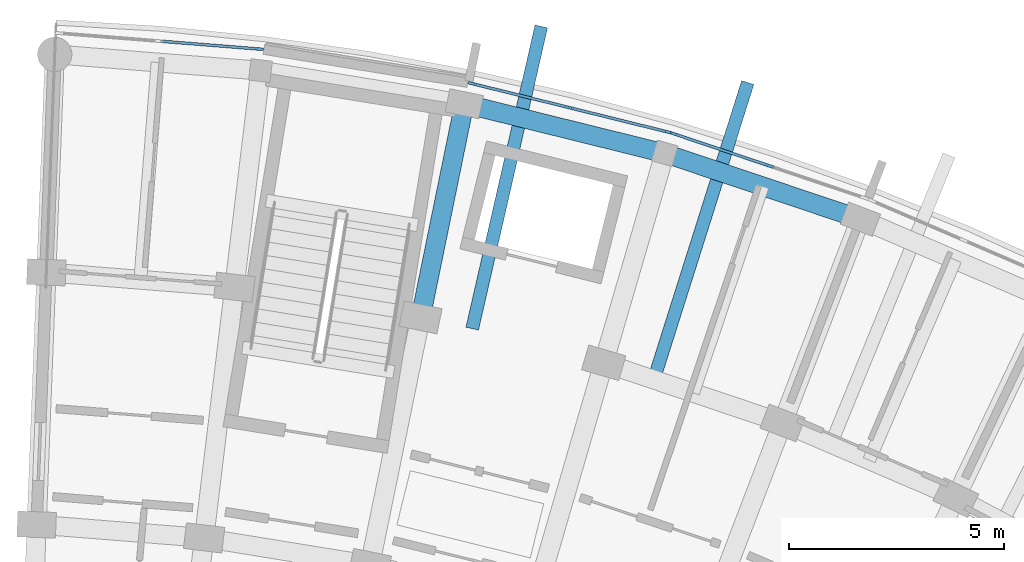
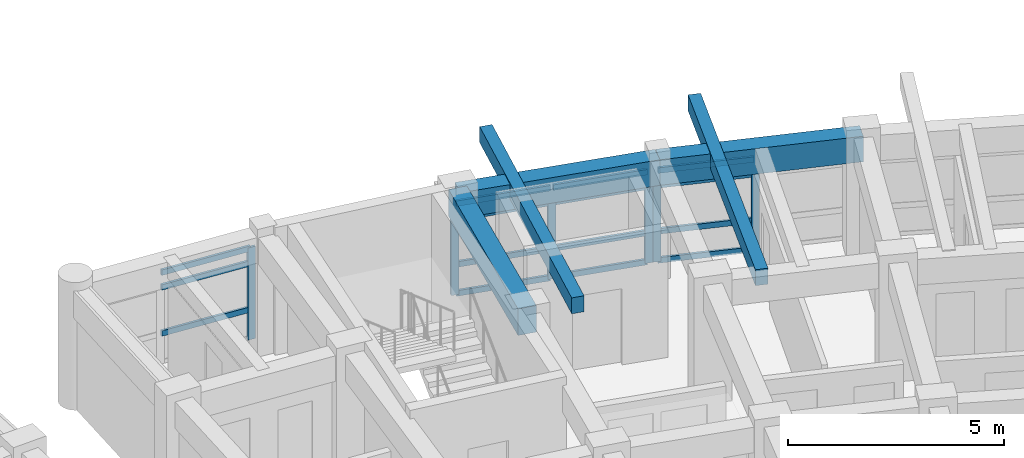
# One storey, part 28 of 83: 21 members, 5 beams, 3 elements without a shape of their own.
"""IFC4 building model written with IfcOpenShell, lengths in metres."""

from ifc_helpers import new_model, si_unit, direction, frame, origin, origin_2d, place, context, subcontext, project, spatial, rectangle, extrude, material, material_profile, profile_set, type_object, element, aggregate, save


model = new_model("IFC4")

# Units and contexts
model_context = context("Model", 3, precision=1e-05, world=origin(), true_north=direction((0.0, 1.0)))
body_context = subcontext(model_context, "Body", "Model", "MODEL_VIEW")
ifc_project = project(units=[si_unit("LENGTHUNIT", "METRE"), si_unit("AREAUNIT", "SQUARE_METRE"), si_unit("VOLUMEUNIT", "CUBIC_METRE"), si_unit("PLANEANGLEUNIT", "RADIAN"), si_unit("MASSUNIT", "GRAM", prefix="KILO")], contexts=[model_context])

# Site, building, storey
site_placement = place(None, origin())
site = spatial("IfcSite", under=ifc_project, at=site_placement, CompositionType="ELEMENT")
building_placement = place(site_placement, origin())
building = spatial("IfcBuilding", under=site, at=building_placement, Name="Zimvara Arc Housing Community", CompositionType="ELEMENT")
storey_placement = place(building_placement, frame((0.0, 0.0, 4.5)))
storey = spatial("IfcBuildingStorey", under=building, at=storey_placement, Name="L01", CompositionType="ELEMENT", Elevation=4.5)

# Beams
ifc_material_1 = material(Name="Concrete C40/50", Category="concrete")
ifc_material_profile_1 = material_profile(ifc_material_1, rectangle(XDim=0.300048828125, YDim=0.449951171875, at=origin_2d()), Name="RC 300x450")
ifc_profile_set_1 = profile_set([ifc_material_profile_1], Name="Concrete C40/50")
beam_type_1 = type_object("IfcBeamType", Name="BM-RC-300x450", PredefinedType="JOIST", material=ifc_profile_set_1)
beam_1_placement = place(storey_placement, frame((56.983642578125, 96.9482421875, 3.1650390625), z_axis=(0.222762368322, 0.974872774909, 0.0), x_axis=(-0.974872774909, 0.222762368322, 0.0)))
element("IfcBeam", 1, at=beam_1_placement, inside=storey, type_object=beam_type_1, Name="bm:blkB:L01:cant_out:b2", PredefinedType="JOIST", context=body_context, shape_type="SweptSolid", body=[
    extrude(rectangle(XDim=0.300048828125, YDim=0.449951171875, at=origin_2d()), origin(), (0.0, 0.0, 1.0), 7.22021484375),
])
beam_2_placement = place(storey_placement, frame((61.22314453125, 95.795654296875, 3.1650390625), z_axis=(0.301521356078, 0.953459423273, 0.0), x_axis=(-0.953459423273, 0.301521356078, 0.0)))
element("IfcBeam", 2, at=beam_2_placement, inside=storey, type_object=beam_type_1, Name="bm:blkB:L01:cant_out:b3", PredefinedType="JOIST", context=body_context, shape_type="SweptSolid", body=[
    extrude(rectangle(XDim=0.300048828125, YDim=0.449951171875, at=origin_2d()), origin(), (0.0, 0.0, 1.0), 7.219970703125),
])
ifc_material_2 = material(Name="Concrete C40/50", Category="concrete")
ifc_material_profile_2 = material_profile(ifc_material_2, rectangle(XDim=0.43994140625, YDim=0.719970703125, at=origin_2d()), Name="RC 440x720")
ifc_profile_set_2 = profile_set([ifc_material_profile_2], Name="Concrete C40/50")
beam_type_2 = type_object("IfcBeamType", Name="BM-RC-440x720", PredefinedType="BEAM", material=ifc_profile_set_2)
beam_3_placement = place(storey_placement, frame((56.79931640625, 102.185546875, 3.0), z_axis=(0.970716235341, -0.240229037474, 0.0), x_axis=(0.240229037474, 0.970716235341, 0.0)))
element("IfcBeam", 3, at=beam_3_placement, inside=storey, type_object=beam_type_2, Name="bm:blkB:L01:chord:r3:b2", PredefinedType="BEAM", context=body_context, shape_type="SweptSolid", body=[
    extrude(rectangle(XDim=0.43994140625, YDim=0.719970703125, at=origin_2d()), origin(), (0.0, 0.0, 1.0), 4.80810546875),
])
beam_4_placement = place(storey_placement, frame((61.466552734375, 101.030517578125, 3.0), z_axis=(0.947877948153, -0.31863363822, 0.0), x_axis=(0.31863363822, 0.947877948153, 0.0)))
element("IfcBeam", 4, at=beam_4_placement, inside=storey, type_object=beam_type_2, Name="bm:blkB:L01:chord:r3:b3", PredefinedType="BEAM", context=body_context, shape_type="SweptSolid", body=[
    extrude(rectangle(XDim=0.43994140625, YDim=0.719970703125, at=origin_2d()), origin(), (0.0, 0.0, 1.0), 4.807861328125),
])
ifc_material_3 = material(Name="Concrete C40/50", Category="concrete")
ifc_material_profile_3 = material_profile(ifc_material_3, rectangle(XDim=0.449951171875, YDim=0.75, at=origin_2d()), Name="RC 450x750")
ifc_profile_set_3 = profile_set([ifc_material_profile_3], Name="Concrete C40/50")
beam_type_3 = type_object("IfcBeamType", Name="BM-RC-450x750", PredefinedType="BEAM", material=ifc_profile_set_3)
beam_5_placement = place(storey_placement, frame((55.78125, 97.208740234375, 2.985107421875), z_axis=(0.200411962389, 0.97971171542, 0.0), x_axis=(-0.97971171542, 0.200411962389, 0.0)))
element("IfcBeam", 5, at=beam_5_placement, inside=storey, type_object=beam_type_3, Name="bm:blkB:L01:rad:b2:r23", PredefinedType="BEAM", context=body_context, shape_type="SweptSolid", body=[
    extrude(rectangle(XDim=0.449951171875, YDim=0.75, at=origin_2d()), origin(), (0.0, 0.0, 1.0), 5.079833984375),
])

# Curtain wall, member
ifc_material_4 = material(Name="Anodised Aluminium AW-6063", Category="aluminium")
curtain_wall_type_1 = type_object("IfcCurtainWallType", Name="CW-SYS-01", PredefinedType="USERDEFINED", material=ifc_material_4)
curtain_wall_1_placement = place(storey_placement, origin())
curtain_wall_1 = element("IfcCurtainWall", 6, at=curtain_wall_1_placement, inside=storey, type_object=curtain_wall_type_1, Name="cw:blkB:L01:out:b0", ObjectType="CURTAIN WALL", PredefinedType="USERDEFINED")
ifc_material_5 = material(Name="Anodised Aluminium AW-6063", Category="aluminium")
ifc_material_profile_4 = material_profile(ifc_material_5, rectangle(XDim=0.06494140625, YDim=0.195068359375, at=origin_2d()), Name="ALU 65x195")
ifc_profile_set_4 = profile_set([ifc_material_profile_4], Name="Anodised Aluminium AW-6063")
member_type_1 = type_object("IfcMemberType", Name="CWM-65x180", PredefinedType="MULLION", material=ifc_profile_set_4)
member_1_placement = place(storey_placement, frame((52.02099609375, 103.459716796875, 0.0), z_axis=(0.0, 0.0, 1.0), x_axis=(0.079153759607, 0.996862418963, 0.0)))
member_1 = element("IfcMember", 7, at=member_1_placement, type_object=member_type_1, Name="CW01 mullion 3", PredefinedType="MULLION", context=body_context, shape_type="SweptSolid", body=[
    extrude(rectangle(XDim=0.06494140625, YDim=0.195068359375, at=origin_2d()), origin(), (0.0, 0.0, 1.0), 2.60009765625),
])

# Curtain wall, members
ifc_material_6 = material(Name="Anodised Aluminium AW-6063", Category="aluminium")
curtain_wall_type_2 = type_object("IfcCurtainWallType", Name="CW-SYS-03", PredefinedType="USERDEFINED", material=ifc_material_6)
curtain_wall_2_placement = place(storey_placement, origin())
curtain_wall_2 = element("IfcCurtainWall", 8, at=curtain_wall_2_placement, inside=storey, type_object=curtain_wall_type_2, Name="cw:blkB:L01:out:b2", ObjectType="CURTAIN WALL", PredefinedType="USERDEFINED")
member_2_placement = place(storey_placement, frame((56.9892578125, 102.6533203125, 0.0), z_axis=(0.0, 0.0, 1.0), x_axis=(0.240229711131, 0.970716068627, 0.0)))
member_2 = element("IfcMember", 9, at=member_2_placement, type_object=member_type_1, Name="CW03 mullion 1", PredefinedType="MULLION", context=body_context, shape_type="SweptSolid", body=[
    extrude(rectangle(XDim=0.06494140625, YDim=0.195068359375, at=origin_2d()), origin(), (0.0, 0.0, 1.0), 2.60009765625),
])
member_3_placement = place(storey_placement, frame((59.2529296875, 102.093017578125, 0.0), z_axis=(0.0, 0.0, 1.0), x_axis=(0.240229711131, 0.970716068627, 0.0)))
member_3 = element("IfcMember", 10, at=member_3_placement, type_object=member_type_1, Name="CW03 mullion 2", PredefinedType="MULLION", context=body_context, shape_type="SweptSolid", body=[
    extrude(rectangle(XDim=0.06494140625, YDim=0.195068359375, at=origin_2d()), origin(), (0.0, 0.0, 1.0), 2.60009765625),
])
member_4_placement = place(storey_placement, frame((61.5166015625, 101.532958984375, 0.0), z_axis=(0.0, 0.0, 1.0), x_axis=(0.240229711131, 0.970716068627, 0.0)))
member_4 = element("IfcMember", 11, at=member_4_placement, type_object=member_type_1, Name="CW03 mullion 3", PredefinedType="MULLION", context=body_context, shape_type="SweptSolid", body=[
    extrude(rectangle(XDim=0.06494140625, YDim=0.195068359375, at=origin_2d()), origin(), (0.0, 0.0, 1.0), 2.60009765625),
])

ifc_material_7 = material(Name="Anodised Aluminium AW-6063", Category="aluminium")
curtain_wall_type_3 = type_object("IfcCurtainWallType", Name="CW-SYS-05", PredefinedType="USERDEFINED", material=ifc_material_7)
curtain_wall_3_placement = place(storey_placement, origin())
curtain_wall_3 = element("IfcCurtainWall", 12, at=curtain_wall_3_placement, inside=storey, type_object=curtain_wall_type_3, Name="cw:blkB:L01:out:b3", ObjectType="CURTAIN WALL", PredefinedType="USERDEFINED")
member_5_placement = place(storey_placement, frame((61.694091796875, 101.481201171875, 0.0), z_axis=(0.0, 0.0, 1.0), x_axis=(0.318628583921, 0.947879647164, 0.0)))
member_5 = element("IfcMember", 13, at=member_5_placement, type_object=member_type_1, Name="CW05 mullion 1", PredefinedType="MULLION", context=body_context, shape_type="SweptSolid", body=[
    extrude(rectangle(XDim=0.06494140625, YDim=0.195068359375, at=origin_2d()), origin(), (0.0, 0.0, 1.0), 2.60009765625),
])
member_6_placement = place(storey_placement, frame((63.904296875, 100.73828125, 0.0), z_axis=(0.0, 0.0, 1.0), x_axis=(0.318628583921, 0.947879647164, 0.0)))
member_6 = element("IfcMember", 14, at=member_6_placement, type_object=member_type_1, Name="CW05 mullion 2", PredefinedType="MULLION", context=body_context, shape_type="SweptSolid", body=[
    extrude(rectangle(XDim=0.06494140625, YDim=0.195068359375, at=origin_2d()), origin(), (0.0, 0.0, 1.0), 2.60009765625),
])

# Member
ifc_material_8 = material(Name="Anodised Aluminium AW-6063", Category="aluminium")
ifc_material_profile_5 = material_profile(ifc_material_8, rectangle(XDim=0.06494140625, YDim=0.155029296875, at=origin_2d()), Name="ALU 65x155")
ifc_profile_set_5 = profile_set([ifc_material_profile_5], Name="Anodised Aluminium AW-6063")
member_type_2 = type_object("IfcMemberType", Name="CWT-65x140", PredefinedType="USERDEFINED", material=ifc_profile_set_5)
member_7_placement = place(storey_placement, frame((49.728759765625, 103.641845703125, 0.85009765625), z_axis=(0.996862021022, -0.079158771116, 0.0), x_axis=(0.079158771116, 0.996862021022, 0.0)))
member_7 = element("IfcMember", 15, at=member_7_placement, type_object=member_type_2, Name="CW01 transom 2.2", ObjectType="TRANSOM", PredefinedType="USERDEFINED", context=body_context, shape_type="SweptSolid", body=[
    extrude(rectangle(XDim=0.06494140625, YDim=0.155029296875, at=origin_2d()), origin(), (0.0, 0.0, 1.0), 2.266845703125),
])

member_8_placement = place(storey_placement, frame((49.728759765625, 103.641845703125, 2.14990234375), z_axis=(0.996862021022, -0.079158771116, 0.0), x_axis=(0.079158771116, 0.996862021022, 0.0)))
member_8 = element("IfcMember", 16, at=member_8_placement, type_object=member_type_2, Name="CW01 transom 2.3", ObjectType="TRANSOM", PredefinedType="USERDEFINED", context=body_context, shape_type="SweptSolid", body=[
    extrude(rectangle(XDim=0.06494140625, YDim=0.155029296875, at=origin_2d()), origin(), (0.0, 0.0, 1.0), 2.266845703125),
])

member_9_placement = place(storey_placement, frame((49.728759765625, 103.641845703125, 2.5673828125), z_axis=(0.996862021022, -0.079158771116, 0.0), x_axis=(0.079158771116, 0.996862021022, 0.0)))
member_9 = element("IfcMember", 17, at=member_9_placement, type_object=member_type_2, Name="CW01 transom 2.4", ObjectType="TRANSOM", PredefinedType="USERDEFINED", context=body_context, shape_type="SweptSolid", body=[
    extrude(rectangle(XDim=0.06494140625, YDim=0.155029296875, at=origin_2d()), origin(), (0.0, 0.0, 1.0), 2.266845703125),
])

aggregate(curtain_wall_1, [member_1, member_7, member_8, member_9])

member_10_placement = place(storey_placement, frame((57.020751953125, 102.6455078125, 0.032470703125), z_axis=(0.970703721793, -0.240279596507, 0.0), x_axis=(0.240279596507, 0.970703721793, 0.0)))
member_10 = element("IfcMember", 18, at=member_10_placement, type_object=member_type_2, Name="CW03 transom 1.1", ObjectType="TRANSOM", PredefinedType="USERDEFINED", context=body_context, shape_type="SweptSolid", body=[
    extrude(rectangle(XDim=0.06494140625, YDim=0.155029296875, at=origin_2d()), origin(), (0.0, 0.0, 1.0), 2.266845703125),
])

member_11_placement = place(storey_placement, frame((57.020751953125, 102.6455078125, 0.85009765625), z_axis=(0.970703721793, -0.240279596507, 0.0), x_axis=(0.240279596507, 0.970703721793, 0.0)))
member_11 = element("IfcMember", 19, at=member_11_placement, type_object=member_type_2, Name="CW03 transom 1.2", ObjectType="TRANSOM", PredefinedType="USERDEFINED", context=body_context, shape_type="SweptSolid", body=[
    extrude(rectangle(XDim=0.06494140625, YDim=0.155029296875, at=origin_2d()), origin(), (0.0, 0.0, 1.0), 2.266845703125),
])

member_12_placement = place(storey_placement, frame((57.020751953125, 102.6455078125, 2.14990234375), z_axis=(0.970703721793, -0.240279596507, 0.0), x_axis=(0.240279596507, 0.970703721793, 0.0)))
member_12 = element("IfcMember", 20, at=member_12_placement, type_object=member_type_2, Name="CW03 transom 1.3", ObjectType="TRANSOM", PredefinedType="USERDEFINED", context=body_context, shape_type="SweptSolid", body=[
    extrude(rectangle(XDim=0.06494140625, YDim=0.155029296875, at=origin_2d()), origin(), (0.0, 0.0, 1.0), 2.266845703125),
])

member_13_placement = place(storey_placement, frame((57.020751953125, 102.6455078125, 2.5673828125), z_axis=(0.970703721793, -0.240279596507, 0.0), x_axis=(0.240279596507, 0.970703721793, 0.0)))
member_13 = element("IfcMember", 21, at=member_13_placement, type_object=member_type_2, Name="CW03 transom 1.4", ObjectType="TRANSOM", PredefinedType="USERDEFINED", context=body_context, shape_type="SweptSolid", body=[
    extrude(rectangle(XDim=0.06494140625, YDim=0.155029296875, at=origin_2d()), origin(), (0.0, 0.0, 1.0), 2.266845703125),
])

member_14_placement = place(storey_placement, frame((59.284423828125, 102.085205078125, 0.032470703125), z_axis=(0.970728837212, -0.240178110172, 0.0), x_axis=(0.240178110172, 0.970728837212, 0.0)))
member_14 = element("IfcMember", 22, at=member_14_placement, type_object=member_type_2, Name="CW03 transom 2.1", ObjectType="TRANSOM", PredefinedType="USERDEFINED", context=body_context, shape_type="SweptSolid", body=[
    extrude(rectangle(XDim=0.06494140625, YDim=0.155029296875, at=origin_2d()), origin(), (0.0, 0.0, 1.0), 2.266845703125),
])

member_15_placement = place(storey_placement, frame((59.284423828125, 102.085205078125, 0.85009765625), z_axis=(0.970728837212, -0.240178110172, 0.0), x_axis=(0.240178110172, 0.970728837212, 0.0)))
member_15 = element("IfcMember", 23, at=member_15_placement, type_object=member_type_2, Name="CW03 transom 2.2", ObjectType="TRANSOM", PredefinedType="USERDEFINED", context=body_context, shape_type="SweptSolid", body=[
    extrude(rectangle(XDim=0.06494140625, YDim=0.155029296875, at=origin_2d()), origin(), (0.0, 0.0, 1.0), 2.266845703125),
])

member_16_placement = place(storey_placement, frame((59.284423828125, 102.085205078125, 2.14990234375), z_axis=(0.970728837212, -0.240178110172, 0.0), x_axis=(0.240178110172, 0.970728837212, 0.0)))
member_16 = element("IfcMember", 24, at=member_16_placement, type_object=member_type_2, Name="CW03 transom 2.3", ObjectType="TRANSOM", PredefinedType="USERDEFINED", context=body_context, shape_type="SweptSolid", body=[
    extrude(rectangle(XDim=0.06494140625, YDim=0.155029296875, at=origin_2d()), origin(), (0.0, 0.0, 1.0), 2.266845703125),
])

member_17_placement = place(storey_placement, frame((59.284423828125, 102.085205078125, 2.5673828125), z_axis=(0.970728837212, -0.240178110172, 0.0), x_axis=(0.240178110172, 0.970728837212, 0.0)))
member_17 = element("IfcMember", 25, at=member_17_placement, type_object=member_type_2, Name="CW03 transom 2.4", ObjectType="TRANSOM", PredefinedType="USERDEFINED", context=body_context, shape_type="SweptSolid", body=[
    extrude(rectangle(XDim=0.06494140625, YDim=0.155029296875, at=origin_2d()), origin(), (0.0, 0.0, 1.0), 2.266845703125),
])

aggregate(curtain_wall_2, [member_2, member_3, member_4, member_10, member_11, member_12, member_13, member_14, member_15, member_16, member_17])

member_18_placement = place(storey_placement, frame((61.724853515625, 101.470947265625, 0.032470703125), z_axis=(0.947861605379, -0.318682250916, 0.0), x_axis=(0.318682250916, 0.947861605379, 0.0)))
member_18 = element("IfcMember", 26, at=member_18_placement, type_object=member_type_2, Name="CW05 transom 1.1", ObjectType="TRANSOM", PredefinedType="USERDEFINED", context=body_context, shape_type="SweptSolid", body=[
    extrude(rectangle(XDim=0.06494140625, YDim=0.155029296875, at=origin_2d()), origin(), (0.0, 0.0, 1.0), 2.266845703125),
])

member_19_placement = place(storey_placement, frame((61.724853515625, 101.470947265625, 0.85009765625), z_axis=(0.947861605379, -0.318682250916, 0.0), x_axis=(0.318682250916, 0.947861605379, 0.0)))
member_19 = element("IfcMember", 27, at=member_19_placement, type_object=member_type_2, Name="CW05 transom 1.2", ObjectType="TRANSOM", PredefinedType="USERDEFINED", context=body_context, shape_type="SweptSolid", body=[
    extrude(rectangle(XDim=0.06494140625, YDim=0.155029296875, at=origin_2d()), origin(), (0.0, 0.0, 1.0), 2.266845703125),
])

member_20_placement = place(storey_placement, frame((61.724853515625, 101.470947265625, 2.14990234375), z_axis=(0.947861605379, -0.318682250916, 0.0), x_axis=(0.318682250916, 0.947861605379, 0.0)))
member_20 = element("IfcMember", 28, at=member_20_placement, type_object=member_type_2, Name="CW05 transom 1.3", ObjectType="TRANSOM", PredefinedType="USERDEFINED", context=body_context, shape_type="SweptSolid", body=[
    extrude(rectangle(XDim=0.06494140625, YDim=0.155029296875, at=origin_2d()), origin(), (0.0, 0.0, 1.0), 2.266845703125),
])

member_21_placement = place(storey_placement, frame((61.724853515625, 101.470947265625, 2.5673828125), z_axis=(0.947861605379, -0.318682250916, 0.0), x_axis=(0.318682250916, 0.947861605379, 0.0)))
member_21 = element("IfcMember", 29, at=member_21_placement, type_object=member_type_2, Name="CW05 transom 1.4", ObjectType="TRANSOM", PredefinedType="USERDEFINED", context=body_context, shape_type="SweptSolid", body=[
    extrude(rectangle(XDim=0.06494140625, YDim=0.155029296875, at=origin_2d()), origin(), (0.0, 0.0, 1.0), 2.266845703125),
])

aggregate(curtain_wall_3, [member_5, member_6, member_18, member_19, member_20, member_21])

save(model, "model.ifc")
